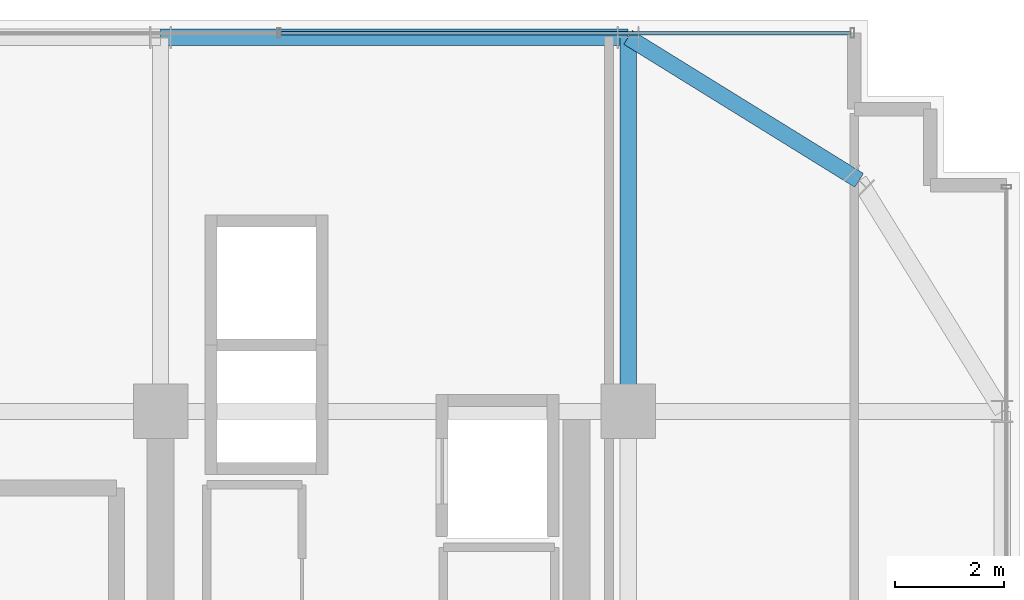
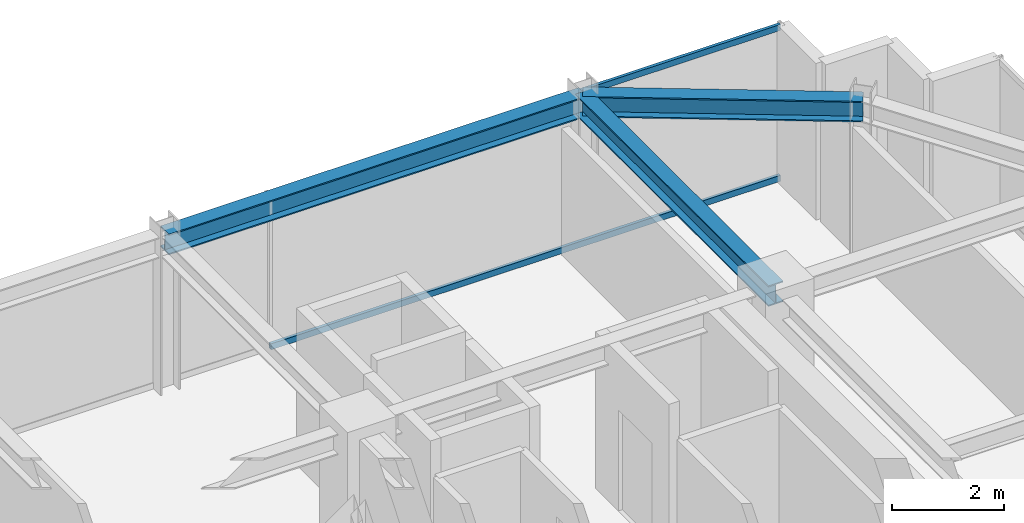
# One storey, part 26 of 35: 3 beams, 2 members, 1 element without a shape of its own.
"""IFC4 building model written with IfcOpenShell, lengths in metres."""

from ifc_helpers import new_model, si_unit, direction, frame, origin, origin_2d, place, context, subcontext, project, spatial, hollow_rectangle, i_section, extrude, source, transform, mapped, material, material_profile, profile_set, type_object, element, aggregate, save


model = new_model("IFC4")

# Units and contexts
model_context = context("Model", 3, precision=1e-05, world=origin(), true_north=direction((0.0, 1.0)))
body_context = subcontext(model_context, "Body", "Model", "MODEL_VIEW")
ifc_project = project(units=[si_unit("LENGTHUNIT", "METRE"), si_unit("AREAUNIT", "SQUARE_METRE"), si_unit("VOLUMEUNIT", "CUBIC_METRE"), si_unit("PLANEANGLEUNIT", "RADIAN"), si_unit("MASSUNIT", "GRAM", prefix="KILO")], contexts=[model_context])

# Site, building, storey
site_placement = place(None, origin())
site = spatial("IfcSite", under=ifc_project, at=site_placement, CompositionType="ELEMENT")
building_placement = place(site_placement, origin())
building = spatial("IfcBuilding", under=site, at=building_placement, Name="Nahalor Promenade Grand Hotel", CompositionType="ELEMENT")
storey_placement = place(building_placement, frame((0.0, 0.0, 216.0)))
storey = spatial("IfcBuildingStorey", under=building, at=storey_placement, Name="L55", CompositionType="ELEMENT", Elevation=216.0)

# Beams
ifc_material_1 = material(Name="Steel S355JR", Category="steel")
ifc_material_profile_1 = material_profile(ifc_material_1, i_section(OverallWidth=0.3, OverallDepth=0.45, WebThickness=0.014, FlangeThickness=0.026, at=origin_2d()), Name="HEB 450")
ifc_profile_set_1 = profile_set([ifc_material_profile_1], Name="Steel S355JR")
beam_type_1 = type_object("IfcBeamType", Name="Beam-Spandrel-HEB450", PredefinedType="SPANDREL", material=ifc_profile_set_1)
shared_shape_1 = source(origin(), body_context, "Body", "SweptSolid", [
    extrude(i_section(OverallWidth=0.3, OverallDepth=0.45, WebThickness=0.014, FlangeThickness=0.026, at=origin_2d()), origin(), (0.0, 0.0, 1.0), 8.60009765625),
])
beam_1_placement = place(storey_placement, frame((8.39990234375, 23.8798828125, 3.18505859375), z_axis=(1.0, 0.0, 0.0), x_axis=(0.0, 1.0, 0.0)))
element("IfcBeam", 1, at=beam_1_placement, inside=storey, type_object=beam_type_1, Name="BM-L55-SP-N-4", PredefinedType="SPANDREL", context=body_context, shape_type="MappedRepresentation", body=[
    mapped(shared_shape_1, transform((0.0, 0.0, 0.0), scale=1.0)),
])
shared_shape_2 = source(origin(), body_context, "Body", "SweptSolid", [
    extrude(i_section(OverallWidth=0.3, OverallDepth=0.45, WebThickness=0.014, FlangeThickness=0.026, at=origin_2d()), origin(), (0.0, 0.0, 1.0), 4.997802734375),
])
beam_2_placement = place(storey_placement, frame((17.0, 23.8798828125, 3.18505859375), z_axis=(0.850360908404, -0.526199891161, 0.0), x_axis=(0.526199891161, 0.850360908404, 0.0)))
element("IfcBeam", 2, at=beam_2_placement, inside=storey, type_object=beam_type_1, Name="BM-L55-SPC-NE-1", PredefinedType="SPANDREL", context=body_context, shape_type="MappedRepresentation", body=[
    mapped(shared_shape_2, transform((0.0, 0.0, 0.0), scale=1.0)),
])
ifc_material_profile_2 = material_profile(ifc_material_1, i_section(OverallWidth=0.3, OverallDepth=0.45, WebThickness=0.014, FlangeThickness=0.026, at=origin_2d()), Name="HEB 450")
ifc_profile_set_2 = profile_set([ifc_material_profile_2], Name="Steel S355JR")
beam_type_2 = type_object("IfcBeamType", Name="Beam-Girder-HEB450", PredefinedType="BEAM", material=ifc_profile_set_2)
shared_shape_3 = source(origin(), body_context, "Body", "SweptSolid", [
    extrude(i_section(OverallWidth=0.3, OverallDepth=0.45, WebThickness=0.014, FlangeThickness=0.026, at=origin_2d()), origin(), (0.0, 0.0, 1.0), 6.8798828125),
])
beam_3_placement = place(storey_placement, frame((17.0, 17.0, 3.18505859375), z_axis=(0.0, 1.0, 0.0), x_axis=(-1.0, 0.0, 0.0)))
element("IfcBeam", 3, at=beam_3_placement, inside=storey, type_object=beam_type_2, Name="BM-L55-GY-5-4", PredefinedType="BEAM", context=body_context, shape_type="MappedRepresentation", body=[
    mapped(shared_shape_3, transform((0.0, 0.0, 0.0), scale=1.0)),
])

# Curtain wall, members
ifc_material_2 = material(Name="Anodised Bronze Aluminium EN AW-6063 T6", Category="aluminium")
curtain_wall_type = type_object("IfcCurtainWallType", Name="CW2 Typical Hotel Flush Bronze Unitised Curtain Wall", PredefinedType="USERDEFINED", material=ifc_material_2)
curtain_wall_placement = place(storey_placement, origin())
curtain_wall = element("IfcCurtainWall", 4, at=curtain_wall_placement, inside=storey, type_object=curtain_wall_type, Name="L55 Curtain Wall CW-L55-N-1", ObjectType="UNITISED_CURTAIN_WALL", PredefinedType="USERDEFINED")
ifc_material_profile_3 = material_profile(ifc_material_2, hollow_rectangle(XDim=0.065, YDim=0.13, WallThickness=0.004, at=origin_2d()), Name="CWT 65x130x4")
ifc_profile_set_3 = profile_set([ifc_material_profile_3], Name="Anodised Bronze Aluminium EN AW-6063 T6")
member_type = type_object("IfcMemberType", Name="CWT2 Typical Bronze Transom 65x130", PredefinedType="USERDEFINED", material=ifc_profile_set_3)
shared_shape_4 = source(origin(), body_context, "Body", "SweptSolid", [
    extrude(hollow_rectangle(XDim=0.065, YDim=0.13, WallThickness=0.004, at=origin_2d()), origin(), (0.0, 0.0, 1.0), 10.482421875),
])
member_1_placement = place(storey_placement, frame((10.612548828125, 23.9599609375, 0.06494140625), z_axis=(1.0, 0.0, 0.0), x_axis=(0.0, 1.0, 0.0)))
member_1 = element("IfcMember", 5, at=member_1_placement, type_object=member_type, Name="CW-L55-N-1 Transom 3-0", ObjectType="TRANSOM", PredefinedType="USERDEFINED", context=body_context, shape_type="MappedRepresentation", body=[
    mapped(shared_shape_4, transform((0.0, 0.0, 0.0), scale=1.0)),
])
member_2_placement = place(storey_placement, frame((10.612548828125, 23.9599609375, 3.344970703125), z_axis=(1.0, 0.0, 0.0), x_axis=(0.0, 1.0, 0.0)))
member_2 = element("IfcMember", 6, at=member_2_placement, type_object=member_type, Name="CW-L55-N-1 Transom 3-1", ObjectType="TRANSOM", PredefinedType="USERDEFINED", context=body_context, shape_type="MappedRepresentation", body=[
    mapped(shared_shape_4, transform((0.0, 0.0, 0.0), scale=1.0)),
])
aggregate(curtain_wall, [member_1, member_2])

save(model, "model.ifc")
